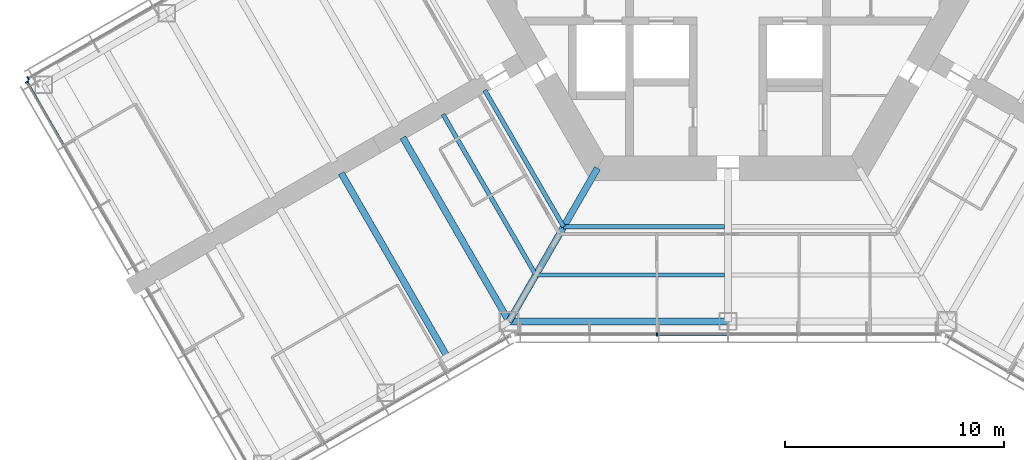
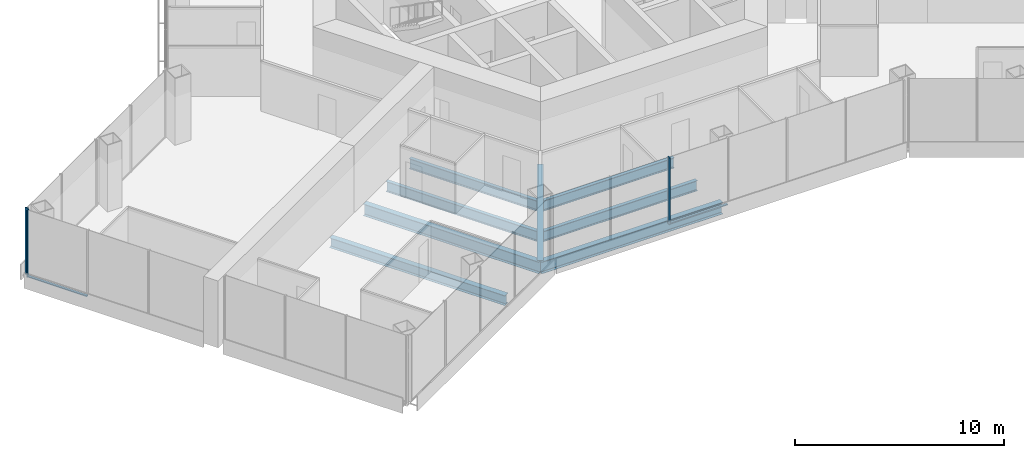
# One storey, part 3 of 19: 8 beams, 5 members, 3 elements without a shape of their own.
"""IFC4 building model written with IfcOpenShell, lengths in metres."""

import ifcopenshell
import ifcopenshell.guid

model = None  # the IFC model being written
_history = None  # IfcOwnerHistory: only IFC2X3 demands one
_inside = {}  # id of a spatial element -> (the spatial element, [elements in it])
_under = {}  # id of a project, library or spatial element -> (it, [spatial elements below it])
_declared = {}  # id of a project -> (the project, [libraries it declares])
_typed = {}  # id of a type object -> (the type object, [elements of that type])
_made_of = {}  # id of a material, layer set ... -> (it, [elements and type objects made of it])


def new_model(schema):
    """Start an empty IFC model of exactly this schema.

    Asked for "IFC4X3", IfcOpenShell would pick the latest addendum, in which some entities
    have other attributes; the version numbers below select the first issue.
    IFC2X3 requires an IfcOwnerHistory on every rooted entity: one is made here for all.
    """
    global model, _history
    if schema == "IFC4X3":
        model = ifcopenshell.file(schema_version=(4, 3, 0, 0))
    else:
        model = ifcopenshell.file(schema=schema)
    _inside.clear()
    _under.clear()
    _declared.clear()
    _typed.clear()
    _made_of.clear()
    _history = None
    if model.schema == "IFC2X3":
        org = make("IfcOrganization", Name="unknown")
        user = make(
            "IfcPersonAndOrganization",
            ThePerson=make("IfcPerson", FamilyName="unknown"),
            TheOrganization=org,
        )
        app = make(
            "IfcApplication",
            ApplicationDeveloper=org,
            Version="unknown",
            ApplicationFullName="unknown",
            ApplicationIdentifier="unknown",
        )
        _history = make(
            "IfcOwnerHistory",
            OwningUser=user,
            OwningApplication=app,
            ChangeAction="ADDED",
            CreationDate=0,
        )
    return model


def make(cls, **values):
    """One entity of the class cls with the attributes given. An attribute that is None is left unset."""
    return model.create_entity(
        cls, **{name: value for name, value in values.items() if value is not None}
    )


def rooted(cls, **values):
    """An entity with a GlobalId (a new one), such as an element, a storey or a relation."""
    return make(cls, GlobalId=ifcopenshell.guid.new(), OwnerHistory=_history, **values)


def si_unit(unit_type, name, prefix=None):
    """IfcSIUnit, for example si_unit("LENGTHUNIT", "METRE", prefix="MILLI")."""
    return make("IfcSIUnit", UnitType=unit_type, Prefix=prefix, Name=name)


def assignment(units):
    """IfcUnitAssignment: the units of a project."""
    return None if units is None else make("IfcUnitAssignment", Units=units)


def point(xyz):
    """IfcCartesianPoint."""
    return None if xyz is None else make("IfcCartesianPoint", Coordinates=xyz)


def direction(xyz):
    """IfcDirection."""
    return None if xyz is None else make("IfcDirection", DirectionRatios=xyz)


def frame(location, z_axis=None, x_axis=None):
    """IfcAxis2Placement3D, a coordinate frame: its origin and axes. An axis left out is left unset."""
    return make(
        "IfcAxis2Placement3D",
        Location=point(location),
        Axis=direction(z_axis),
        RefDirection=direction(x_axis),
    )


def frame_2d(location, x_axis=None):
    """IfcAxis2Placement2D, a coordinate frame in the plane: its origin and x axis."""
    return make(
        "IfcAxis2Placement2D", Location=point(location), RefDirection=direction(x_axis)
    )


def origin():
    """The frame at (0, 0, 0) with its axes left unset."""
    return frame((0.0, 0.0, 0.0))


def origin_2d():
    """The frame at (0, 0) in the plane with its x axis left unset."""
    return frame_2d((0.0, 0.0))


def place(relative_to, where):
    """IfcLocalPlacement: puts the frame where relative to a parent placement (None: the world)."""
    return make(
        "IfcLocalPlacement", PlacementRelTo=relative_to, RelativePlacement=where
    )


def context(
    kind, dimensions, precision=None, world=None, true_north=None, identifier=None
):
    """IfcGeometricRepresentationContext, for example the 3D "Model" context."""
    return make(
        "IfcGeometricRepresentationContext",
        ContextIdentifier=identifier,
        ContextType=kind,
        CoordinateSpaceDimension=dimensions,
        Precision=precision,
        WorldCoordinateSystem=world,
        TrueNorth=true_north,
    )


def subcontext(parent, identifier, kind, view, scale=None):
    """IfcGeometricRepresentationSubContext, for example "Body" below "Model"."""
    return make(
        "IfcGeometricRepresentationSubContext",
        ContextIdentifier=identifier,
        ContextType=kind,
        ParentContext=parent,
        TargetScale=scale,
        TargetView=view,
    )


def project(units=None, contexts=None):
    """IfcProject with its units and contexts."""
    return rooted(
        "IfcProject",
        Name="project",
        RepresentationContexts=contexts,
        UnitsInContext=assignment(units),
    )


def spatial(cls, under=None, at=None, **own):
    """A site, building, storey or space (cls), placed at a placement, below another one or the project."""
    s = rooted(cls, ObjectPlacement=at, **own)
    if under is not None:
        _under.setdefault(under.id(), (under, []))[1].append(s)
    return s


def profile(cls, at=None, kind="AREA", **sizes):
    """A parametric profile (cls). Its sizes go by their IFC names, for example OverallWidth=200.0."""
    return make(cls, ProfileType=kind, Position=at, **sizes)


def rectangle(**sizes):
    """IfcRectangleProfileDef."""
    return profile("IfcRectangleProfileDef", **sizes)


def i_section(**sizes):
    """IfcIShapeProfileDef."""
    return profile("IfcIShapeProfileDef", **sizes)


def extrude(swept, where, along, depth):
    """IfcExtrudedAreaSolid: the profile swept, set in the frame where, extruded along a direction by depth."""
    return make(
        "IfcExtrudedAreaSolid",
        SweptArea=swept,
        Position=where,
        ExtrudedDirection=direction(along),
        Depth=depth,
    )


def shape(context_of_items, identifier, shape_type, items):
    """IfcShapeRepresentation: the items that make up one representation, for example the "Body"."""
    return make(
        "IfcShapeRepresentation",
        ContextOfItems=context_of_items,
        RepresentationIdentifier=identifier,
        RepresentationType=shape_type,
        Items=items,
    )


def material(Name=None, Category=None):
    """IfcMaterial."""
    return make("IfcMaterial", Name=Name, Category=Category)


def material_profile(
    of_material, cross_section, Name=None, Category=None, Priority=None
):
    """IfcMaterialProfile: a cross section and its material."""
    return make(
        "IfcMaterialProfile",
        Name=Name,
        Material=of_material,
        Profile=cross_section,
        Priority=Priority,
        Category=Category,
    )


def profile_set(profiles, Name=None, composite=None):
    """IfcMaterialProfileSet."""
    return make(
        "IfcMaterialProfileSet",
        Name=Name,
        MaterialProfiles=profiles,
        CompositeProfile=composite,
    )


def made_of(thing, what):
    """Note that an element or type object is made of a material, layer set ...; save() writes the relation."""
    if what is not None:
        _made_of.setdefault(what.id(), (what, []))[1].append(thing)
    return thing


def type_object(cls, material=None, **own):
    """A type object (cls), such as IfcWallType, which elements share."""
    return made_of(rooted(cls, **own), material)


def element(
    cls,
    number,
    at=None,
    inside=None,
    cuts=None,
    type_object=None,
    material=None,
    context=None,
    identifier="Body",
    shape_type=None,
    held_by="IfcProductDefinitionShape",
    body=None,
    shapes=None,
    **own,
):
    """One element of the class cls, such as IfcWall. Its Tag is "e" and its number.

    at: its placement. inside: the storey or other place that contains it. cuts: it is an
    opening in that element (IfcRelVoidsElement). A single representation is given by context,
    identifier, shape_type and body (its items); several are given by shapes. held_by: the class
    of the entity that holds the representations. save() writes the other relations.
    """
    e = rooted(cls, Tag="e%d" % number, ObjectPlacement=at, **own)
    if body is not None:
        shapes = [shape(context, identifier, shape_type, body)]
    if shapes is not None:
        e.Representation = make(held_by, Representations=shapes)
    if inside is not None:
        _inside.setdefault(inside.id(), (inside, []))[1].append(e)
    if cuts is not None:
        rooted(
            "IfcRelVoidsElement", RelatingBuildingElement=cuts, RelatedOpeningElement=e
        )
    if type_object is not None:
        _typed.setdefault(type_object.id(), (type_object, []))[1].append(e)
    return made_of(e, material)


def aggregate(whole, parts):
    """IfcRelAggregates: a whole, such as a stair, and the parts it consists of."""
    return rooted("IfcRelAggregates", RelatingObject=whole, RelatedObjects=parts)


def save(model, path):
    """Write the relations noted so far, then the file.

    IfcRelAggregates (storeys below a building ...), IfcRelContainedInSpatialStructure (elements
    in a storey), IfcRelDefinesByType, IfcRelAssociatesMaterial and IfcRelDeclares: one each for
    every whole, place, type object, material and project.
    """
    for whole, parts in _under.values():
        aggregate(whole, parts)
    for where, things in _inside.values():
        rooted(
            "IfcRelContainedInSpatialStructure",
            RelatedElements=things,
            RelatingStructure=where,
        )
    for kind, things in _typed.values():
        rooted("IfcRelDefinesByType", RelatedObjects=things, RelatingType=kind)
    for what, things in _made_of.values():
        rooted("IfcRelAssociatesMaterial", RelatedObjects=things, RelatingMaterial=what)
    for by, libraries in _declared.values():
        rooted("IfcRelDeclares", RelatingContext=by, RelatedDefinitions=libraries)
    model.write(path)


model = new_model("IFC4")

# Units and contexts
model_context = context("Model", 3, precision=1e-05, world=origin(), true_north=direction((0.0, 1.0)))
body_context = subcontext(model_context, "Body", "Model", "MODEL_VIEW")
ifc_project = project(units=[si_unit("LENGTHUNIT", "METRE"), si_unit("AREAUNIT", "SQUARE_METRE"), si_unit("VOLUMEUNIT", "CUBIC_METRE"), si_unit("PLANEANGLEUNIT", "RADIAN"), si_unit("MASSUNIT", "GRAM", prefix="KILO")], contexts=[model_context])

# Site, building, storey
site_placement = place(None, origin())
site = spatial("IfcSite", under=ifc_project, at=site_placement, CompositionType="ELEMENT")
building_placement = place(site_placement, origin())
building = spatial("IfcBuilding", under=site, at=building_placement, Name="Kasaneha Research Tower", CompositionType="ELEMENT")
storey_placement = place(building_placement, frame((0.0, 0.0, 84.60009765625)))
storey = spatial("IfcBuildingStorey", under=building, at=storey_placement, Name="L21", CompositionType="ELEMENT", Elevation=84.60009765625)

# Beams
ifc_material_1 = material(Name="Steel SN490B", Category="steel")
ifc_material_profile_1 = material_profile(ifc_material_1, i_section(OverallWidth=0.199951171875, OverallDepth=0.60009765625, WebThickness=0.010986328125, FlangeThickness=0.01708984375, FilletRadius=0.012939453125, at=origin_2d()), Name="H-600x200x11x17")
ifc_profile_set_1 = profile_set([ifc_material_profile_1], Name="Steel SN490B")
beam_type_1 = type_object("IfcBeamType", Name="B1-3 secondary beam H-600x200x11x17", PredefinedType="JOIST", material=ifc_profile_set_1)
beam_1_placement = place(storey_placement, frame((-7.505615234375, -13.0, -0.4501953125), z_axis=(-0.499998147991, 0.86602647304, 0.0), x_axis=(-0.86602647304, -0.499998147991, 0.0)))
element("IfcBeam", 1, at=beam_1_placement, inside=storey, type_object=beam_type_1, Name="Secondary beam RS210R1 L21", PredefinedType="JOIST", context=body_context, shape_type="SweptSolid", body=[
    extrude(i_section(OverallWidth=0.199951171875, OverallDepth=0.60009765625, WebThickness=0.010986328125, FlangeThickness=0.01708984375, FilletRadius=0.012939453125, at=origin_2d()), origin(), (0.0, 0.0, 1.0), 7.20556640625),
])
beam_2_placement = place(storey_placement, frame((-8.775634765625, -15.199951171875, -0.4501953125), z_axis=(-0.500020829043, 0.866013377797, 0.0), x_axis=(-0.866013377797, -0.500020829043, 0.0)))
element("IfcBeam", 2, at=beam_2_placement, inside=storey, type_object=beam_type_1, Name="Secondary beam RS210R2 L21", PredefinedType="JOIST", context=body_context, shape_type="SweptSolid", body=[
    extrude(i_section(OverallWidth=0.199951171875, OverallDepth=0.60009765625, WebThickness=0.010986328125, FlangeThickness=0.01708984375, FilletRadius=0.012939453125, at=origin_2d()), origin(), (0.0, 0.0, 1.0), 8.475830078125),
])
beam_3_placement = place(storey_placement, frame((-7.505615234375, -13.0, -0.4501953125), z_axis=(1.0, 0.0, 0.0), x_axis=(0.0, 1.0, 0.0)))
element("IfcBeam", 3, at=beam_3_placement, inside=storey, type_object=beam_type_1, Name="Secondary beam RS270L1 L21", PredefinedType="JOIST", context=body_context, shape_type="SweptSolid", body=[
    extrude(i_section(OverallWidth=0.199951171875, OverallDepth=0.60009765625, WebThickness=0.010986328125, FlangeThickness=0.01708984375, FilletRadius=0.012939453125, at=origin_2d()), origin(), (0.0, 0.0, 1.0), 7.355712890625),
])
beam_4_placement = place(storey_placement, frame((-8.775634765625, -15.199951171875, -0.4501953125), z_axis=(1.0, 0.0, 0.0), x_axis=(0.0, 1.0, 0.0)))
element("IfcBeam", 4, at=beam_4_placement, inside=storey, type_object=beam_type_1, Name="Secondary beam RS270L2 L21", PredefinedType="JOIST", context=body_context, shape_type="SweptSolid", body=[
    extrude(i_section(OverallWidth=0.199951171875, OverallDepth=0.60009765625, WebThickness=0.010986328125, FlangeThickness=0.01708984375, FilletRadius=0.012939453125, at=origin_2d()), origin(), (0.0, 0.0, 1.0), 8.625732421875),
])
ifc_material_2 = material(Name="Steel SN490B", Category="steel")
ifc_material_profile_2 = material_profile(ifc_material_2, i_section(OverallWidth=0.300048828125, OverallDepth=0.58203125, WebThickness=0.011962890625, FlangeThickness=0.01708984375, FilletRadius=0.012939453125, at=origin_2d()), Name="H-582x300x12x17")
ifc_profile_set_2 = profile_set([ifc_material_profile_2], Name="Steel SN490B")
beam_type_2 = type_object("IfcBeamType", Name="B2-3 secondary beam H-582x300x12x17", PredefinedType="JOIST", material=ifc_profile_set_2)
beam_5_placement = place(storey_placement, frame((-12.814697265625, -18.945556640625, -0.441162109375), z_axis=(-0.499991164321, 0.866030505006, 0.0), x_axis=(-0.866030505006, -0.499991164321, 0.0)))
element("IfcBeam", 5, at=beam_5_placement, inside=storey, type_object=beam_type_2, Name="Secondary beam WBBN1 L21", PredefinedType="JOIST", context=body_context, shape_type="SweptSolid", body=[
    extrude(i_section(OverallWidth=0.300048828125, OverallDepth=0.58203125, WebThickness=0.011962890625, FlangeThickness=0.01708984375, FilletRadius=0.012939453125, at=origin_2d()), origin(), (0.0, 0.0, 1.0), 9.699951171875),
])

# Curtain wall, member
ifc_material_3 = material(Name="Glass and aluminium", Category="aluminium")
curtain_wall_type = type_object("IfcCurtainWallType", Name="Low-rise office curtain wall", PredefinedType="USERDEFINED", material=ifc_material_3)
curtain_wall_1_placement = place(storey_placement, origin())
curtain_wall_1 = element("IfcCurtainWall", 6, at=curtain_wall_1_placement, inside=storey, type_object=curtain_wall_type, Name="CW-O1 L21 run 02a", ObjectType="UNITISED CURTAIN WALL", PredefinedType="USERDEFINED")
ifc_material_4 = material(Name="Aluminium 6063-T6", Category="aluminium")
ifc_material_profile_3 = material_profile(ifc_material_4, rectangle(XDim=0.06005859375, YDim=0.159912109375, at=origin_2d()), Name="CW-O1 mullion 60x160")
ifc_profile_set_3 = profile_set([ifc_material_profile_3], Name="Aluminium 6063-T6")
member_type_1 = type_object("IfcMemberType", Name="CW-O1 mullion", PredefinedType="MULLION", material=ifc_profile_set_3)
member_1_placement = place(storey_placement, frame((-3.246337890625, -17.92041015625, 0.0), z_axis=(0.0, 0.0, 1.0), x_axis=(1.0, 0.0, 0.0)))
member_1 = element("IfcMember", 7, at=member_1_placement, type_object=member_type_1, Name="CW-O1 mullion 3", PredefinedType="MULLION", context=body_context, shape_type="SweptSolid", body=[
    extrude(rectangle(XDim=0.06005859375, YDim=0.159912109375, at=origin_2d()), origin(), (0.0, 0.0, 1.0), 3.89990234375),
])

curtain_wall_2_placement = place(storey_placement, origin())
curtain_wall_2 = element("IfcCurtainWall", 8, at=curtain_wall_2_placement, inside=storey, type_object=curtain_wall_type, Name="CW-O1 L21 run 13a", ObjectType="UNITISED CURTAIN WALL", PredefinedType="USERDEFINED")
member_2_placement = place(storey_placement, frame((-31.96533203125, -6.21533203125, 0.0), z_axis=(0.0, 0.0, 1.0), x_axis=(-0.866025411464, -0.499999986699, 0.0)))
member_2 = element("IfcMember", 9, at=member_2_placement, type_object=member_type_1, Name="CW-O1 mullion 5", PredefinedType="MULLION", context=body_context, shape_type="SweptSolid", body=[
    extrude(rectangle(XDim=0.06005859375, YDim=0.159912109375, at=origin_2d()), origin(), (0.0, 0.0, 1.0), 3.89990234375),
])
aggregate(curtain_wall_2, [member_2])

curtain_wall_3_placement = place(storey_placement, origin())
curtain_wall_3 = element("IfcCurtainWall", 10, at=curtain_wall_3_placement, inside=storey, type_object=curtain_wall_type, Name="CW-O1 L21 run 14a", ObjectType="UNITISED CURTAIN WALL", PredefinedType="USERDEFINED")
member_3_placement = place(storey_placement, frame((-32.012939453125, -6.39306640625, 0.0), z_axis=(0.0, 0.0, 1.0), x_axis=(0.500000011442, -0.866025397178, 0.0)))
member_3 = element("IfcMember", 11, at=member_3_placement, type_object=member_type_1, Name="CW-O1 mullion 1", PredefinedType="MULLION", context=body_context, shape_type="SweptSolid", body=[
    extrude(rectangle(XDim=0.06005859375, YDim=0.159912109375, at=origin_2d()), origin(), (0.0, 0.0, 1.0), 3.89990234375),
])

# Member
ifc_material_5 = material(Name="Aluminium 6063-T6", Category="aluminium")
ifc_material_profile_4 = material_profile(ifc_material_5, rectangle(XDim=0.1201171875, YDim=0.06005859375, at=origin_2d()), Name="CW-O1 transom 120x60")
ifc_profile_set_4 = profile_set([ifc_material_profile_4], Name="Aluminium 6063-T6")
member_type_2 = type_object("IfcMemberType", Name="CW-O1 transom", PredefinedType="USERDEFINED", material=ifc_profile_set_4)
member_4_placement = place(storey_placement, frame((-3.21630859375, -17.92041015625, 0.02978515625), z_axis=(1.0, 0.0, 0.0), x_axis=(0.0, 1.0, 0.0)))
member_4 = element("IfcMember", 12, at=member_4_placement, type_object=member_type_2, Name="CW-O1 transom 3", ObjectType="TRANSOM", PredefinedType="USERDEFINED", context=body_context, shape_type="SweptSolid", body=[
    extrude(rectangle(XDim=0.1201171875, YDim=0.06005859375, at=origin_2d()), origin(), (0.0, 0.0, 1.0), 3.186279296875),
])

aggregate(curtain_wall_1, [member_1, member_4])

member_5_placement = place(storey_placement, frame((-31.998046875, -6.4189453125, 0.02978515625), z_axis=(0.500025583411, -0.866010632691, 0.0), x_axis=(0.866010632691, 0.500025583411, 0.0)))
member_5 = element("IfcMember", 13, at=member_5_placement, type_object=member_type_2, Name="CW-O1 transom 1", ObjectType="TRANSOM", PredefinedType="USERDEFINED", context=body_context, shape_type="SweptSolid", body=[
    extrude(rectangle(XDim=0.1201171875, YDim=0.06005859375, at=origin_2d()), origin(), (0.0, 0.0, 1.0), 3.276611328125),
])

aggregate(curtain_wall_3, [member_3, member_5])

# Beams
ifc_material_6 = material(Name="Steel SN490B", Category="steel")
ifc_material_profile_5 = material_profile(ifc_material_6, i_section(OverallWidth=0.300048828125, OverallDepth=0.699951171875, WebThickness=0.012939453125, FlangeThickness=0.02392578125, FilletRadius=0.01806640625, at=origin_2d()), Name="H-700x300x13x24")
ifc_profile_set_5 = profile_set([ifc_material_profile_5], Name="Steel SN490B")
beam_type_3 = type_object("IfcBeamType", Name="G1-3 radial girder H-700x300x13x24", PredefinedType="BEAM", material=ifc_profile_set_5)
beam_6_placement = place(storey_placement, frame((-5.961181640625, -10.324951171875, -0.5), z_axis=(-0.49999105496, -0.866030568144, 0.0), x_axis=(0.866030568144, -0.49999105496, 0.0)))
element("IfcBeam", 14, at=beam_6_placement, inside=storey, type_object=beam_type_3, Name="Radial girder RV240 L21", PredefinedType="BEAM", context=body_context, shape_type="SweptSolid", body=[
    extrude(i_section(OverallWidth=0.300048828125, OverallDepth=0.699951171875, WebThickness=0.012939453125, FlangeThickness=0.02392578125, FilletRadius=0.01806640625, at=origin_2d()), origin(), (0.0, 0.0, 1.0), 8.077880859375),
])
ifc_material_7 = material(Name="Steel SN490B", Category="steel")
ifc_material_profile_6 = material_profile(ifc_material_7, i_section(OverallWidth=0.300048828125, OverallDepth=0.69189453125, WebThickness=0.012939453125, FlangeThickness=0.02001953125, FilletRadius=0.01806640625, at=origin_2d()), Name="H-692x300x13x20")
ifc_profile_set_6 = profile_set([ifc_material_profile_6], Name="Steel SN490B")
beam_type_4 = type_object("IfcBeamType", Name="G3-3 plate edge girder H-692x300x13x20", PredefinedType="BEAM", material=ifc_profile_set_6)
beam_7_placement = place(storey_placement, frame((-10.0, -17.320556640625, -0.49609375), z_axis=(-0.500010041276, 0.866019606374, 0.0), x_axis=(-0.866019606374, -0.500010041276, 0.0)))
element("IfcBeam", 15, at=beam_7_placement, inside=storey, type_object=beam_type_4, Name="Plate edge girder PEBN L21", PredefinedType="BEAM", context=body_context, shape_type="SweptSolid", body=[
    extrude(i_section(OverallWidth=0.300048828125, OverallDepth=0.69189453125, WebThickness=0.012939453125, FlangeThickness=0.02001953125, FilletRadius=0.01806640625, at=origin_2d()), origin(), (0.0, 0.0, 1.0), 9.699951171875),
])
ifc_material_8 = material(Name="Steel SN490B", Category="steel")
ifc_material_profile_7 = material_profile(ifc_material_8, i_section(OverallWidth=0.300048828125, OverallDepth=0.69189453125, WebThickness=0.012939453125, FlangeThickness=0.02001953125, FilletRadius=0.01806640625, at=origin_2d()), Name="H-692x300x13x20")
ifc_profile_set_7 = profile_set([ifc_material_profile_7], Name="Steel SN490B")
beam_type_5 = type_object("IfcBeamType", Name="SB1-3 spandrel beam H-692x300x13x20", PredefinedType="SPANDREL", material=ifc_profile_set_7)
beam_8_placement = place(storey_placement, frame((-10.0, -17.320556640625, -0.49609375), z_axis=(1.0, 0.0, 0.0), x_axis=(0.0, 1.0, 0.0)))
element("IfcBeam", 16, at=beam_8_placement, inside=storey, type_object=beam_type_5, Name="Spandrel beam SR270L L21", PredefinedType="SPANDREL", context=body_context, shape_type="SweptSolid", body=[
    extrude(i_section(OverallWidth=0.300048828125, OverallDepth=0.69189453125, WebThickness=0.012939453125, FlangeThickness=0.02001953125, FilletRadius=0.01806640625, at=origin_2d()), origin(), (0.0, 0.0, 1.0), 10.0),
])

save(model, "model.ifc")
